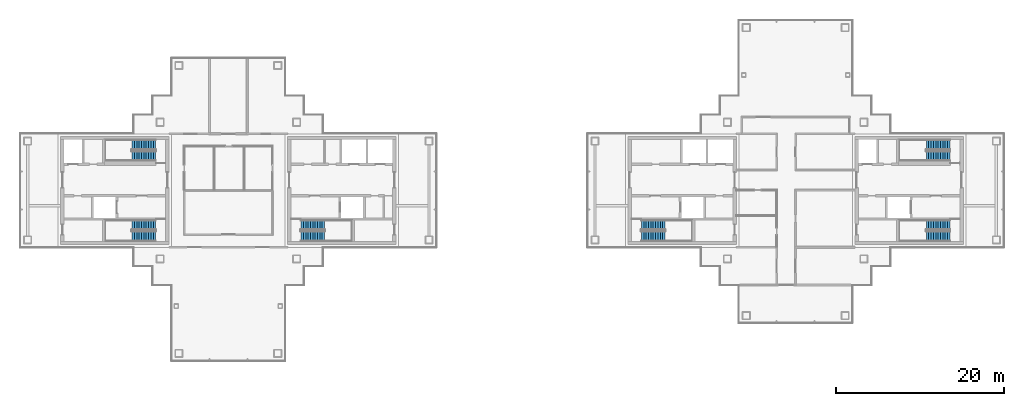
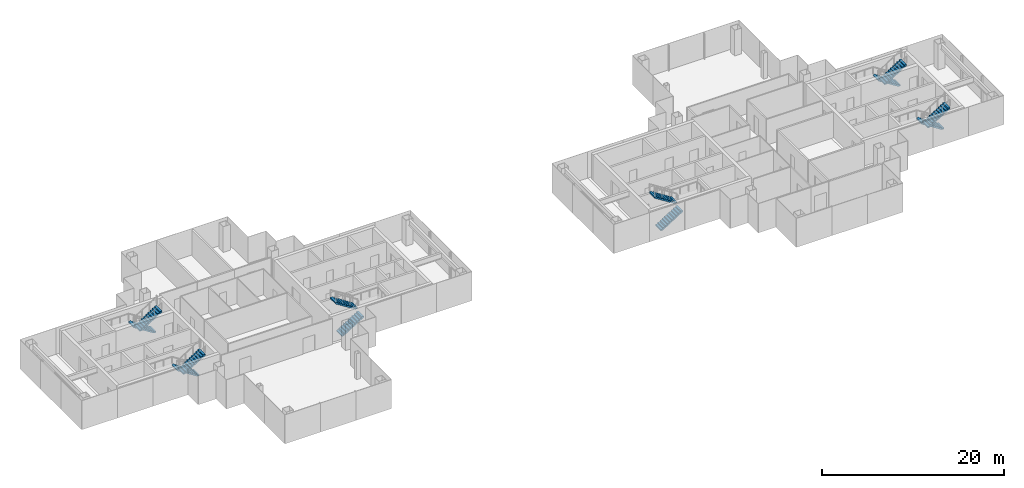
# One storey, part 13 of 15: 12 stair flights, 6 elements without a shape of their own.
"""IFC4 building model written with IfcOpenShell, lengths in metres."""

from ifc_helpers import new_model, si_unit, direction, frame, origin, place, context, subcontext, project, spatial, polyline, outline, extrude, material, type_object, element, aggregate, save


model = new_model("IFC4")

# Units and contexts
model_context = context("Model", 3, precision=1e-05, world=origin(), true_north=direction((0.0, 1.0)))
body_context = subcontext(model_context, "Body", "Model", "MODEL_VIEW")
ifc_project = project(units=[si_unit("LENGTHUNIT", "METRE"), si_unit("AREAUNIT", "SQUARE_METRE"), si_unit("VOLUMEUNIT", "CUBIC_METRE"), si_unit("PLANEANGLEUNIT", "RADIAN"), si_unit("MASSUNIT", "GRAM", prefix="KILO")], contexts=[model_context])

# Site, building, storey
site_placement = place(None, origin())
site = spatial("IfcSite", under=ifc_project, at=site_placement, CompositionType="ELEMENT")
building_placement = place(site_placement, origin())
building = spatial("IfcBuilding", under=site, at=building_placement, Name="Shamsa Quay Exchange Towers", CompositionType="ELEMENT")
storey_placement = place(building_placement, frame((0.0, 0.0, 269.39990234375)))
storey = spatial("IfcBuildingStorey", under=building, at=storey_placement, Name="L65", CompositionType="ELEMENT", Elevation=269.39990234375)

# Stair, stair flights
ifc_material = material(Name="Concrete C40/50", Category="concrete")
stair_type = type_object("IfcStairType", Name="EXIT STAIR 22 RISERS 177 MM", PredefinedType="HALF_TURN_STAIR", material=ifc_material)
stair_1_placement = place(storey_placement, origin())
stair_1 = element("IfcStair", 1, at=stair_1_placement, inside=storey, type_object=stair_type, Name="L65 Exit stair ST1", PredefinedType="HALF_TURN_STAIR")
stair_flight_type = type_object("IfcStairFlightType", Name="EXIT STAIR FLIGHT 11 RISERS 177 MM", PredefinedType="STRAIGHT", material=ifc_material)
stair_flight_1_placement = place(storey_placement, frame((-25.10009765625, -5.449951171875, 0.0)))
stair_flight_1 = element("IfcStairFlight", 2, at=stair_flight_1_placement, type_object=stair_flight_type, Name="ST1 flight 1", NumberOfRisers=11, NumberOfTreads=10, PredefinedType="STRAIGHT", RiserHeight=0.177272727, TreadLength=0.28, context=body_context, shape_type="SweptSolid", body=[
    extrude(outline(polyline([(0.0, 0.0), (0.0, 0.17724609375), (0.280029296875, 0.17724609375), (0.280029296875, 0.3544921875), (0.56005859375, 0.3544921875), (0.56005859375, 0.53173828125), (0.840087890625, 0.53173828125), (0.840087890625, 0.708984375), (1.1201171875, 0.708984375), (1.1201171875, 0.886474609375), (1.39990234375, 0.886474609375), (1.39990234375, 1.063720703125), (1.679931640625, 1.063720703125), (1.679931640625, 1.240966796875), (1.9599609375, 1.240966796875), (1.9599609375, 1.418212890625), (2.239990234375, 1.418212890625), (2.239990234375, 1.595458984375), (2.52001953125, 1.595458984375), (2.52001953125, 1.772705078125), (2.800048828125, 1.772705078125), (2.800048828125, 1.949951171875), (2.800048828125, 1.607177734375), (0.261474609375, 0.0), (0.0, 0.0)])), frame((0.0, 0.60009765625, 0.0), z_axis=(0.0, -1.0, 0.0), x_axis=(1.0, 0.0, 0.0)), (0.0, 0.0, 1.0), 1.199951171875),
])
stair_flight_2_placement = place(storey_placement, frame((-22.300048828125, -4.10009765625, 1.9501953125), z_axis=(0.0, 0.0, 1.0), x_axis=(-1.0, 0.0, 0.0)))
stair_flight_2 = element("IfcStairFlight", 3, at=stair_flight_2_placement, type_object=stair_flight_type, Name="ST1 flight 2", NumberOfRisers=11, NumberOfTreads=10, PredefinedType="STRAIGHT", RiserHeight=0.177272727, TreadLength=0.28, context=body_context, shape_type="SweptSolid", body=[
    extrude(outline(polyline([(0.0, 0.0), (0.0, 0.17724609375), (0.280029296875, 0.17724609375), (0.280029296875, 0.3544921875), (0.56005859375, 0.3544921875), (0.56005859375, 0.53173828125), (0.840087890625, 0.53173828125), (0.840087890625, 0.708984375), (1.1201171875, 0.708984375), (1.1201171875, 0.886474609375), (1.39990234375, 0.886474609375), (1.39990234375, 1.063720703125), (1.679931640625, 1.063720703125), (1.679931640625, 1.240966796875), (1.9599609375, 1.240966796875), (1.9599609375, 1.418212890625), (2.239990234375, 1.418212890625), (2.239990234375, 1.595458984375), (2.52001953125, 1.595458984375), (2.52001953125, 1.772705078125), (2.800048828125, 1.772705078125), (2.800048828125, 1.949951171875), (2.800048828125, 1.607177734375), (0.261474609375, 0.0), (0.0, 0.0)])), frame((0.0, 0.60009765625, 0.0), z_axis=(0.0, -1.0, 0.0), x_axis=(1.0, 0.0, 0.0)), (0.0, 0.0, 1.0), 1.199951171875),
])
aggregate(stair_1, [stair_flight_1, stair_flight_2])

stair_2_placement = place(storey_placement, origin())
stair_2 = element("IfcStair", 4, at=stair_2_placement, inside=storey, type_object=stair_type, Name="L65 Exit stair ST2", PredefinedType="HALF_TURN_STAIR")
stair_flight_3_placement = place(storey_placement, frame((-42.39990234375, -4.10009765625, 0.0), z_axis=(0.0, 0.0, 1.0), x_axis=(-1.0, 0.0, 0.0)))
stair_flight_3 = element("IfcStairFlight", 5, at=stair_flight_3_placement, type_object=stair_flight_type, Name="ST2 flight 1", NumberOfRisers=11, NumberOfTreads=10, PredefinedType="STRAIGHT", RiserHeight=0.177272727, TreadLength=0.28, context=body_context, shape_type="SweptSolid", body=[
    extrude(outline(polyline([(0.0, 0.0), (0.0, 0.17724609375), (0.280029296875, 0.17724609375), (0.280029296875, 0.3544921875), (0.56005859375, 0.3544921875), (0.56005859375, 0.53173828125), (0.840087890625, 0.53173828125), (0.840087890625, 0.708984375), (1.1201171875, 0.708984375), (1.1201171875, 0.886474609375), (1.39990234375, 0.886474609375), (1.39990234375, 1.063720703125), (1.679931640625, 1.063720703125), (1.679931640625, 1.240966796875), (1.9599609375, 1.240966796875), (1.9599609375, 1.418212890625), (2.239990234375, 1.418212890625), (2.239990234375, 1.595458984375), (2.52001953125, 1.595458984375), (2.52001953125, 1.772705078125), (2.800048828125, 1.772705078125), (2.800048828125, 1.949951171875), (2.800048828125, 1.607177734375), (0.261474609375, 0.0), (0.0, 0.0)])), frame((0.0, 0.60009765625, 0.0), z_axis=(0.0, -1.0, 0.0), x_axis=(1.0, 0.0, 0.0)), (0.0, 0.0, 1.0), 1.199951171875),
])
stair_flight_4_placement = place(storey_placement, frame((-45.199951171875, -5.449951171875, 1.9501953125)))
stair_flight_4 = element("IfcStairFlight", 6, at=stair_flight_4_placement, type_object=stair_flight_type, Name="ST2 flight 2", NumberOfRisers=11, NumberOfTreads=10, PredefinedType="STRAIGHT", RiserHeight=0.177272727, TreadLength=0.28, context=body_context, shape_type="SweptSolid", body=[
    extrude(outline(polyline([(0.0, 0.0), (0.0, 0.17724609375), (0.280029296875, 0.17724609375), (0.280029296875, 0.3544921875), (0.56005859375, 0.3544921875), (0.56005859375, 0.53173828125), (0.840087890625, 0.53173828125), (0.840087890625, 0.708984375), (1.1201171875, 0.708984375), (1.1201171875, 0.886474609375), (1.39990234375, 0.886474609375), (1.39990234375, 1.063720703125), (1.679931640625, 1.063720703125), (1.679931640625, 1.240966796875), (1.9599609375, 1.240966796875), (1.9599609375, 1.418212890625), (2.239990234375, 1.418212890625), (2.239990234375, 1.595458984375), (2.52001953125, 1.595458984375), (2.52001953125, 1.772705078125), (2.800048828125, 1.772705078125), (2.800048828125, 1.949951171875), (2.800048828125, 1.607177734375), (0.261474609375, 0.0), (0.0, 0.0)])), frame((0.0, 0.60009765625, 0.0), z_axis=(0.0, -1.0, 0.0), x_axis=(1.0, 0.0, 0.0)), (0.0, 0.0, 1.0), 1.199951171875),
])
aggregate(stair_2, [stair_flight_3, stair_flight_4])

stair_3_placement = place(storey_placement, origin())
stair_3 = element("IfcStair", 7, at=stair_3_placement, inside=storey, type_object=stair_type, Name="L65 Exit stair ST3", PredefinedType="HALF_TURN_STAIR")
stair_flight_5_placement = place(storey_placement, frame((-42.39990234375, 5.449951171875, 0.0), z_axis=(0.0, 0.0, 1.0), x_axis=(-1.0, 0.0, 0.0)))
stair_flight_5 = element("IfcStairFlight", 8, at=stair_flight_5_placement, type_object=stair_flight_type, Name="ST3 flight 1", NumberOfRisers=11, NumberOfTreads=10, PredefinedType="STRAIGHT", RiserHeight=0.177272727, TreadLength=0.28, context=body_context, shape_type="SweptSolid", body=[
    extrude(outline(polyline([(0.0, 0.0), (0.0, 0.17724609375), (0.280029296875, 0.17724609375), (0.280029296875, 0.3544921875), (0.56005859375, 0.3544921875), (0.56005859375, 0.53173828125), (0.840087890625, 0.53173828125), (0.840087890625, 0.708984375), (1.1201171875, 0.708984375), (1.1201171875, 0.886474609375), (1.39990234375, 0.886474609375), (1.39990234375, 1.063720703125), (1.679931640625, 1.063720703125), (1.679931640625, 1.240966796875), (1.9599609375, 1.240966796875), (1.9599609375, 1.418212890625), (2.239990234375, 1.418212890625), (2.239990234375, 1.595458984375), (2.52001953125, 1.595458984375), (2.52001953125, 1.772705078125), (2.800048828125, 1.772705078125), (2.800048828125, 1.949951171875), (2.800048828125, 1.607177734375), (0.261474609375, 0.0), (0.0, 0.0)])), frame((0.0, 0.60009765625, 0.0), z_axis=(0.0, -1.0, 0.0), x_axis=(1.0, 0.0, 0.0)), (0.0, 0.0, 1.0), 1.199951171875),
])
stair_flight_6_placement = place(storey_placement, frame((-45.199951171875, 4.10009765625, 1.9501953125)))
stair_flight_6 = element("IfcStairFlight", 9, at=stair_flight_6_placement, type_object=stair_flight_type, Name="ST3 flight 2", NumberOfRisers=11, NumberOfTreads=10, PredefinedType="STRAIGHT", RiserHeight=0.177272727, TreadLength=0.28, context=body_context, shape_type="SweptSolid", body=[
    extrude(outline(polyline([(0.0, 0.0), (0.0, 0.17724609375), (0.280029296875, 0.17724609375), (0.280029296875, 0.3544921875), (0.56005859375, 0.3544921875), (0.56005859375, 0.53173828125), (0.840087890625, 0.53173828125), (0.840087890625, 0.708984375), (1.1201171875, 0.708984375), (1.1201171875, 0.886474609375), (1.39990234375, 0.886474609375), (1.39990234375, 1.063720703125), (1.679931640625, 1.063720703125), (1.679931640625, 1.240966796875), (1.9599609375, 1.240966796875), (1.9599609375, 1.418212890625), (2.239990234375, 1.418212890625), (2.239990234375, 1.595458984375), (2.52001953125, 1.595458984375), (2.52001953125, 1.772705078125), (2.800048828125, 1.772705078125), (2.800048828125, 1.949951171875), (2.800048828125, 1.607177734375), (0.261474609375, 0.0), (0.0, 0.0)])), frame((0.0, 0.60009765625, 0.0), z_axis=(0.0, -1.0, 0.0), x_axis=(1.0, 0.0, 0.0)), (0.0, 0.0, 1.0), 1.199951171875),
])
aggregate(stair_3, [stair_flight_5, stair_flight_6])

stair_4_placement = place(storey_placement, origin())
stair_4 = element("IfcStair", 10, at=stair_4_placement, inside=storey, type_object=stair_type, Name="L65 Exit stair ST4", PredefinedType="HALF_TURN_STAIR")
stair_flight_7_placement = place(storey_placement, frame((15.39990234375, -5.449951171875, 0.0)))
stair_flight_7 = element("IfcStairFlight", 11, at=stair_flight_7_placement, type_object=stair_flight_type, Name="ST4 flight 1", NumberOfRisers=11, NumberOfTreads=10, PredefinedType="STRAIGHT", RiserHeight=0.177272727, TreadLength=0.28, context=body_context, shape_type="SweptSolid", body=[
    extrude(outline(polyline([(0.0, 0.0), (0.0, 0.17724609375), (0.280029296875, 0.17724609375), (0.280029296875, 0.3544921875), (0.56005859375, 0.3544921875), (0.56005859375, 0.53173828125), (0.840087890625, 0.53173828125), (0.840087890625, 0.708984375), (1.1201171875, 0.708984375), (1.1201171875, 0.886474609375), (1.39990234375, 0.886474609375), (1.39990234375, 1.063720703125), (1.679931640625, 1.063720703125), (1.679931640625, 1.240966796875), (1.9599609375, 1.240966796875), (1.9599609375, 1.418212890625), (2.239990234375, 1.418212890625), (2.239990234375, 1.595458984375), (2.52001953125, 1.595458984375), (2.52001953125, 1.772705078125), (2.800048828125, 1.772705078125), (2.800048828125, 1.949951171875), (2.800048828125, 1.607177734375), (0.261474609375, 0.0), (0.0, 0.0)])), frame((0.0, 0.60009765625, 0.0), z_axis=(0.0, -1.0, 0.0), x_axis=(1.0, 0.0, 0.0)), (0.0, 0.0, 1.0), 1.199951171875),
])
stair_flight_8_placement = place(storey_placement, frame((18.199951171875, -4.10009765625, 1.9501953125), z_axis=(0.0, 0.0, 1.0), x_axis=(-1.0, 0.0, 0.0)))
stair_flight_8 = element("IfcStairFlight", 12, at=stair_flight_8_placement, type_object=stair_flight_type, Name="ST4 flight 2", NumberOfRisers=11, NumberOfTreads=10, PredefinedType="STRAIGHT", RiserHeight=0.177272727, TreadLength=0.28, context=body_context, shape_type="SweptSolid", body=[
    extrude(outline(polyline([(0.0, 0.0), (0.0, 0.17724609375), (0.280029296875, 0.17724609375), (0.280029296875, 0.3544921875), (0.56005859375, 0.3544921875), (0.56005859375, 0.53173828125), (0.840087890625, 0.53173828125), (0.840087890625, 0.708984375), (1.1201171875, 0.708984375), (1.1201171875, 0.886474609375), (1.39990234375, 0.886474609375), (1.39990234375, 1.063720703125), (1.679931640625, 1.063720703125), (1.679931640625, 1.240966796875), (1.9599609375, 1.240966796875), (1.9599609375, 1.418212890625), (2.239990234375, 1.418212890625), (2.239990234375, 1.595458984375), (2.52001953125, 1.595458984375), (2.52001953125, 1.772705078125), (2.800048828125, 1.772705078125), (2.800048828125, 1.949951171875), (2.800048828125, 1.607177734375), (0.261474609375, 0.0), (0.0, 0.0)])), frame((0.0, 0.60009765625, 0.0), z_axis=(0.0, -1.0, 0.0), x_axis=(1.0, 0.0, 0.0)), (0.0, 0.0, 1.0), 1.199951171875),
])
aggregate(stair_4, [stair_flight_7, stair_flight_8])

stair_5_placement = place(storey_placement, origin())
stair_5 = element("IfcStair", 13, at=stair_5_placement, inside=storey, type_object=stair_type, Name="L65 Exit stair ST5", PredefinedType="HALF_TURN_STAIR")
stair_flight_9_placement = place(storey_placement, frame((52.10009765625, -4.10009765625, 0.0), z_axis=(0.0, 0.0, 1.0), x_axis=(-1.0, 0.0, 0.0)))
stair_flight_9 = element("IfcStairFlight", 14, at=stair_flight_9_placement, type_object=stair_flight_type, Name="ST5 flight 1", NumberOfRisers=11, NumberOfTreads=10, PredefinedType="STRAIGHT", RiserHeight=0.177272727, TreadLength=0.28, context=body_context, shape_type="SweptSolid", body=[
    extrude(outline(polyline([(0.0, 0.0), (0.0, 0.17724609375), (0.280029296875, 0.17724609375), (0.280029296875, 0.3544921875), (0.56005859375, 0.3544921875), (0.56005859375, 0.53173828125), (0.840087890625, 0.53173828125), (0.840087890625, 0.708984375), (1.1201171875, 0.708984375), (1.1201171875, 0.886474609375), (1.39990234375, 0.886474609375), (1.39990234375, 1.063720703125), (1.679931640625, 1.063720703125), (1.679931640625, 1.240966796875), (1.9599609375, 1.240966796875), (1.9599609375, 1.418212890625), (2.239990234375, 1.418212890625), (2.239990234375, 1.595458984375), (2.52001953125, 1.595458984375), (2.52001953125, 1.772705078125), (2.800048828125, 1.772705078125), (2.800048828125, 1.949951171875), (2.800048828125, 1.607177734375), (0.261474609375, 0.0), (0.0, 0.0)])), frame((0.0, 0.60009765625, 0.0), z_axis=(0.0, -1.0, 0.0), x_axis=(1.0, 0.0, 0.0)), (0.0, 0.0, 1.0), 1.199951171875),
])
stair_flight_10_placement = place(storey_placement, frame((49.300048828125, -5.449951171875, 1.9501953125)))
stair_flight_10 = element("IfcStairFlight", 15, at=stair_flight_10_placement, type_object=stair_flight_type, Name="ST5 flight 2", NumberOfRisers=11, NumberOfTreads=10, PredefinedType="STRAIGHT", RiserHeight=0.177272727, TreadLength=0.28, context=body_context, shape_type="SweptSolid", body=[
    extrude(outline(polyline([(0.0, 0.0), (0.0, 0.17724609375), (0.280029296875, 0.17724609375), (0.280029296875, 0.3544921875), (0.56005859375, 0.3544921875), (0.56005859375, 0.53173828125), (0.840087890625, 0.53173828125), (0.840087890625, 0.708984375), (1.1201171875, 0.708984375), (1.1201171875, 0.886474609375), (1.39990234375, 0.886474609375), (1.39990234375, 1.063720703125), (1.679931640625, 1.063720703125), (1.679931640625, 1.240966796875), (1.9599609375, 1.240966796875), (1.9599609375, 1.418212890625), (2.239990234375, 1.418212890625), (2.239990234375, 1.595458984375), (2.52001953125, 1.595458984375), (2.52001953125, 1.772705078125), (2.800048828125, 1.772705078125), (2.800048828125, 1.949951171875), (2.800048828125, 1.607177734375), (0.261474609375, 0.0), (0.0, 0.0)])), frame((0.0, 0.60009765625, 0.0), z_axis=(0.0, -1.0, 0.0), x_axis=(1.0, 0.0, 0.0)), (0.0, 0.0, 1.0), 1.199951171875),
])
aggregate(stair_5, [stair_flight_9, stair_flight_10])

stair_6_placement = place(storey_placement, origin())
stair_6 = element("IfcStair", 16, at=stair_6_placement, inside=storey, type_object=stair_type, Name="L65 Exit stair ST6", PredefinedType="HALF_TURN_STAIR")
stair_flight_11_placement = place(storey_placement, frame((52.10009765625, 5.449951171875, 0.0), z_axis=(0.0, 0.0, 1.0), x_axis=(-1.0, 0.0, 0.0)))
stair_flight_11 = element("IfcStairFlight", 17, at=stair_flight_11_placement, type_object=stair_flight_type, Name="ST6 flight 1", NumberOfRisers=11, NumberOfTreads=10, PredefinedType="STRAIGHT", RiserHeight=0.177272727, TreadLength=0.28, context=body_context, shape_type="SweptSolid", body=[
    extrude(outline(polyline([(0.0, 0.0), (0.0, 0.17724609375), (0.280029296875, 0.17724609375), (0.280029296875, 0.3544921875), (0.56005859375, 0.3544921875), (0.56005859375, 0.53173828125), (0.840087890625, 0.53173828125), (0.840087890625, 0.708984375), (1.1201171875, 0.708984375), (1.1201171875, 0.886474609375), (1.39990234375, 0.886474609375), (1.39990234375, 1.063720703125), (1.679931640625, 1.063720703125), (1.679931640625, 1.240966796875), (1.9599609375, 1.240966796875), (1.9599609375, 1.418212890625), (2.239990234375, 1.418212890625), (2.239990234375, 1.595458984375), (2.52001953125, 1.595458984375), (2.52001953125, 1.772705078125), (2.800048828125, 1.772705078125), (2.800048828125, 1.949951171875), (2.800048828125, 1.607177734375), (0.261474609375, 0.0), (0.0, 0.0)])), frame((0.0, 0.60009765625, 0.0), z_axis=(0.0, -1.0, 0.0), x_axis=(1.0, 0.0, 0.0)), (0.0, 0.0, 1.0), 1.199951171875),
])
stair_flight_12_placement = place(storey_placement, frame((49.300048828125, 4.10009765625, 1.9501953125)))
stair_flight_12 = element("IfcStairFlight", 18, at=stair_flight_12_placement, type_object=stair_flight_type, Name="ST6 flight 2", NumberOfRisers=11, NumberOfTreads=10, PredefinedType="STRAIGHT", RiserHeight=0.177272727, TreadLength=0.28, context=body_context, shape_type="SweptSolid", body=[
    extrude(outline(polyline([(0.0, 0.0), (0.0, 0.17724609375), (0.280029296875, 0.17724609375), (0.280029296875, 0.3544921875), (0.56005859375, 0.3544921875), (0.56005859375, 0.53173828125), (0.840087890625, 0.53173828125), (0.840087890625, 0.708984375), (1.1201171875, 0.708984375), (1.1201171875, 0.886474609375), (1.39990234375, 0.886474609375), (1.39990234375, 1.063720703125), (1.679931640625, 1.063720703125), (1.679931640625, 1.240966796875), (1.9599609375, 1.240966796875), (1.9599609375, 1.418212890625), (2.239990234375, 1.418212890625), (2.239990234375, 1.595458984375), (2.52001953125, 1.595458984375), (2.52001953125, 1.772705078125), (2.800048828125, 1.772705078125), (2.800048828125, 1.949951171875), (2.800048828125, 1.607177734375), (0.261474609375, 0.0), (0.0, 0.0)])), frame((0.0, 0.60009765625, 0.0), z_axis=(0.0, -1.0, 0.0), x_axis=(1.0, 0.0, 0.0)), (0.0, 0.0, 1.0), 1.199951171875),
])
aggregate(stair_6, [stair_flight_11, stair_flight_12])

save(model, "model.ifc")
